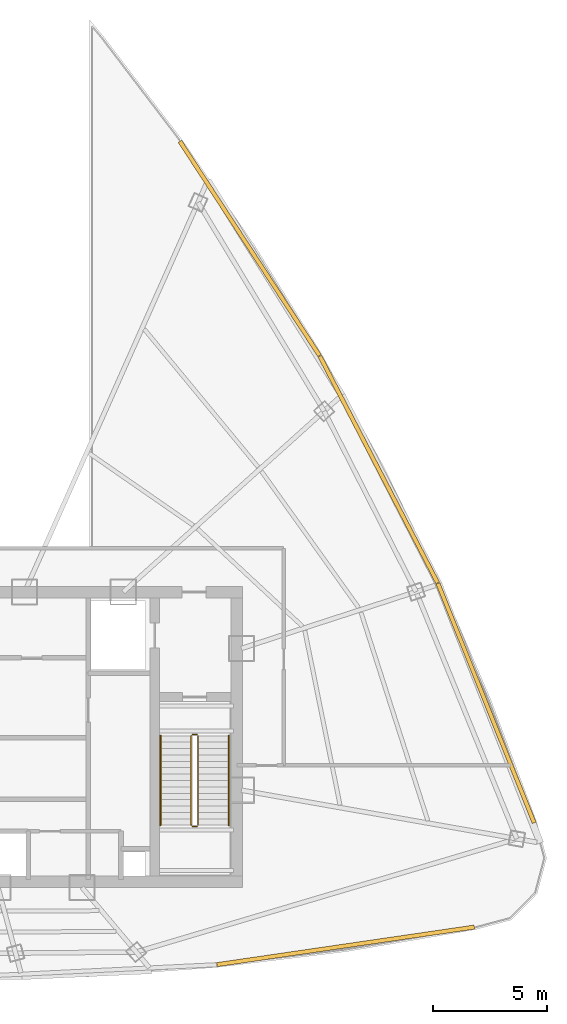
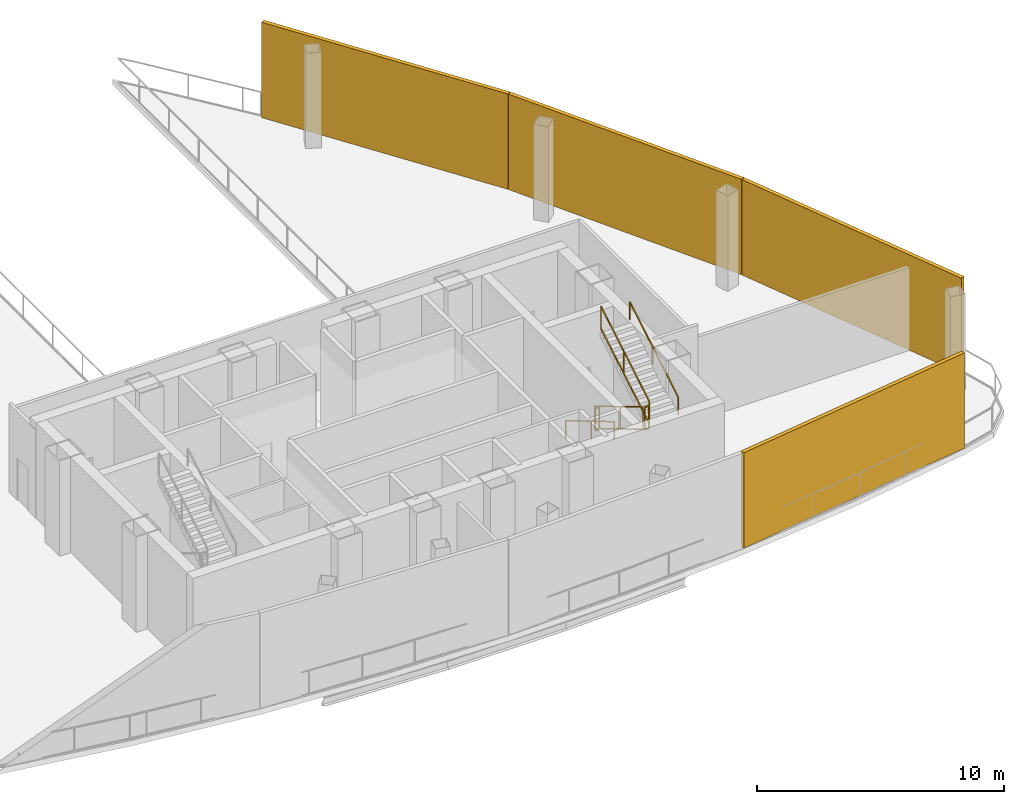
# One storey, part 6 of 6: 6 railings, 4 shading devices.
"""IFC4 building model written with IfcOpenShell, lengths in metres."""

import ifcopenshell
import ifcopenshell.guid

model = None  # the IFC model being written
_history = None  # IfcOwnerHistory: only IFC2X3 demands one
_inside = {}  # id of a spatial element -> (the spatial element, [elements in it])
_under = {}  # id of a project, library or spatial element -> (it, [spatial elements below it])
_declared = {}  # id of a project -> (the project, [libraries it declares])
_typed = {}  # id of a type object -> (the type object, [elements of that type])
_made_of = {}  # id of a material, layer set ... -> (it, [elements and type objects made of it])


def new_model(schema):
    """Start an empty IFC model of exactly this schema.

    Asked for "IFC4X3", IfcOpenShell would pick the latest addendum, in which some entities
    have other attributes; the version numbers below select the first issue.
    IFC2X3 requires an IfcOwnerHistory on every rooted entity: one is made here for all.
    """
    global model, _history
    if schema == "IFC4X3":
        model = ifcopenshell.file(schema_version=(4, 3, 0, 0))
    else:
        model = ifcopenshell.file(schema=schema)
    _inside.clear()
    _under.clear()
    _declared.clear()
    _typed.clear()
    _made_of.clear()
    _history = None
    if model.schema == "IFC2X3":
        org = make("IfcOrganization", Name="unknown")
        user = make(
            "IfcPersonAndOrganization",
            ThePerson=make("IfcPerson", FamilyName="unknown"),
            TheOrganization=org,
        )
        app = make(
            "IfcApplication",
            ApplicationDeveloper=org,
            Version="unknown",
            ApplicationFullName="unknown",
            ApplicationIdentifier="unknown",
        )
        _history = make(
            "IfcOwnerHistory",
            OwningUser=user,
            OwningApplication=app,
            ChangeAction="ADDED",
            CreationDate=0,
        )
    return model


def make(cls, **values):
    """One entity of the class cls with the attributes given. An attribute that is None is left unset."""
    return model.create_entity(
        cls, **{name: value for name, value in values.items() if value is not None}
    )


def rooted(cls, **values):
    """An entity with a GlobalId (a new one), such as an element, a storey or a relation."""
    return make(cls, GlobalId=ifcopenshell.guid.new(), OwnerHistory=_history, **values)


def si_unit(unit_type, name, prefix=None):
    """IfcSIUnit, for example si_unit("LENGTHUNIT", "METRE", prefix="MILLI")."""
    return make("IfcSIUnit", UnitType=unit_type, Prefix=prefix, Name=name)


def assignment(units):
    """IfcUnitAssignment: the units of a project."""
    return None if units is None else make("IfcUnitAssignment", Units=units)


def point(xyz):
    """IfcCartesianPoint."""
    return None if xyz is None else make("IfcCartesianPoint", Coordinates=xyz)


def direction(xyz):
    """IfcDirection."""
    return None if xyz is None else make("IfcDirection", DirectionRatios=xyz)


def frame(location, z_axis=None, x_axis=None):
    """IfcAxis2Placement3D, a coordinate frame: its origin and axes. An axis left out is left unset."""
    return make(
        "IfcAxis2Placement3D",
        Location=point(location),
        Axis=direction(z_axis),
        RefDirection=direction(x_axis),
    )


def frame_2d(location, x_axis=None):
    """IfcAxis2Placement2D, a coordinate frame in the plane: its origin and x axis."""
    return make(
        "IfcAxis2Placement2D", Location=point(location), RefDirection=direction(x_axis)
    )


def origin():
    """The frame at (0, 0, 0) with its axes left unset."""
    return frame((0.0, 0.0, 0.0))


def origin_2d():
    """The frame at (0, 0) in the plane with its x axis left unset."""
    return frame_2d((0.0, 0.0))


def place(relative_to, where):
    """IfcLocalPlacement: puts the frame where relative to a parent placement (None: the world)."""
    return make(
        "IfcLocalPlacement", PlacementRelTo=relative_to, RelativePlacement=where
    )


def context(
    kind, dimensions, precision=None, world=None, true_north=None, identifier=None
):
    """IfcGeometricRepresentationContext, for example the 3D "Model" context."""
    return make(
        "IfcGeometricRepresentationContext",
        ContextIdentifier=identifier,
        ContextType=kind,
        CoordinateSpaceDimension=dimensions,
        Precision=precision,
        WorldCoordinateSystem=world,
        TrueNorth=true_north,
    )


def subcontext(parent, identifier, kind, view, scale=None):
    """IfcGeometricRepresentationSubContext, for example "Body" below "Model"."""
    return make(
        "IfcGeometricRepresentationSubContext",
        ContextIdentifier=identifier,
        ContextType=kind,
        ParentContext=parent,
        TargetScale=scale,
        TargetView=view,
    )


def project(units=None, contexts=None):
    """IfcProject with its units and contexts."""
    return rooted(
        "IfcProject",
        Name="project",
        RepresentationContexts=contexts,
        UnitsInContext=assignment(units),
    )


def spatial(cls, under=None, at=None, **own):
    """A site, building, storey or space (cls), placed at a placement, below another one or the project."""
    s = rooted(cls, ObjectPlacement=at, **own)
    if under is not None:
        _under.setdefault(under.id(), (under, []))[1].append(s)
    return s


def profile(cls, at=None, kind="AREA", **sizes):
    """A parametric profile (cls). Its sizes go by their IFC names, for example OverallWidth=200.0."""
    return make(cls, ProfileType=kind, Position=at, **sizes)


def rectangle(**sizes):
    """IfcRectangleProfileDef."""
    return profile("IfcRectangleProfileDef", **sizes)


def extrude(swept, where, along, depth):
    """IfcExtrudedAreaSolid: the profile swept, set in the frame where, extruded along a direction by depth."""
    return make(
        "IfcExtrudedAreaSolid",
        SweptArea=swept,
        Position=where,
        ExtrudedDirection=direction(along),
        Depth=depth,
    )


def shape(context_of_items, identifier, shape_type, items):
    """IfcShapeRepresentation: the items that make up one representation, for example the "Body"."""
    return make(
        "IfcShapeRepresentation",
        ContextOfItems=context_of_items,
        RepresentationIdentifier=identifier,
        RepresentationType=shape_type,
        Items=items,
    )


def source(mapping_origin, context_of_items, identifier, shape_type, items):
    """IfcRepresentationMap: a shape defined once, which mapped items show again and again."""
    return make(
        "IfcRepresentationMap",
        MappingOrigin=mapping_origin,
        MappedRepresentation=shape(context_of_items, identifier, shape_type, items),
    )


def transform(
    local_origin,
    x_axis=None,
    y_axis=None,
    z_axis=None,
    scale=None,
    scale2=None,
    scale3=None,
    uniform=True,
):
    """IfcCartesianTransformationOperator3D, or its non-uniform kind. x_axis, y_axis, z_axis: its Axis1, 2, 3."""
    if uniform:
        return make(
            "IfcCartesianTransformationOperator3D",
            Axis1=direction(x_axis),
            Axis2=direction(y_axis),
            LocalOrigin=point(local_origin),
            Scale=scale,
            Axis3=direction(z_axis),
        )
    return make(
        "IfcCartesianTransformationOperator3DnonUniform",
        Axis1=direction(x_axis),
        Axis2=direction(y_axis),
        LocalOrigin=point(local_origin),
        Scale=scale,
        Axis3=direction(z_axis),
        Scale2=scale2,
        Scale3=scale3,
    )


def mapped(mapping_source, mapping_target):
    """IfcMappedItem: shows the shape of a source again, moved by a transform."""
    return make(
        "IfcMappedItem", MappingSource=mapping_source, MappingTarget=mapping_target
    )


def material(Name=None, Category=None):
    """IfcMaterial."""
    return make("IfcMaterial", Name=Name, Category=Category)


def layer(
    of_material, thickness, ventilated=None, Name=None, Category=None, Priority=None
):
    """IfcMaterialLayer: one layer of a wall or slab, of a material (None: an air gap)."""
    return make(
        "IfcMaterialLayer",
        Material=of_material,
        LayerThickness=thickness,
        IsVentilated=ventilated,
        Name=Name,
        Category=Category,
        Priority=Priority,
    )


def layer_set(layers, Name=None):
    """IfcMaterialLayerSet."""
    return make("IfcMaterialLayerSet", MaterialLayers=layers, LayerSetName=Name)


def made_of(thing, what):
    """Note that an element or type object is made of a material, layer set ...; save() writes the relation."""
    if what is not None:
        _made_of.setdefault(what.id(), (what, []))[1].append(thing)
    return thing


def type_object(cls, material=None, **own):
    """A type object (cls), such as IfcWallType, which elements share."""
    return made_of(rooted(cls, **own), material)


def element(
    cls,
    number,
    at=None,
    inside=None,
    cuts=None,
    type_object=None,
    material=None,
    context=None,
    identifier="Body",
    shape_type=None,
    held_by="IfcProductDefinitionShape",
    body=None,
    shapes=None,
    **own,
):
    """One element of the class cls, such as IfcWall. Its Tag is "e" and its number.

    at: its placement. inside: the storey or other place that contains it. cuts: it is an
    opening in that element (IfcRelVoidsElement). A single representation is given by context,
    identifier, shape_type and body (its items); several are given by shapes. held_by: the class
    of the entity that holds the representations. save() writes the other relations.
    """
    e = rooted(cls, Tag="e%d" % number, ObjectPlacement=at, **own)
    if body is not None:
        shapes = [shape(context, identifier, shape_type, body)]
    if shapes is not None:
        e.Representation = make(held_by, Representations=shapes)
    if inside is not None:
        _inside.setdefault(inside.id(), (inside, []))[1].append(e)
    if cuts is not None:
        rooted(
            "IfcRelVoidsElement", RelatingBuildingElement=cuts, RelatedOpeningElement=e
        )
    if type_object is not None:
        _typed.setdefault(type_object.id(), (type_object, []))[1].append(e)
    return made_of(e, material)


def aggregate(whole, parts):
    """IfcRelAggregates: a whole, such as a stair, and the parts it consists of."""
    return rooted("IfcRelAggregates", RelatingObject=whole, RelatedObjects=parts)


def save(model, path):
    """Write the relations noted so far, then the file.

    IfcRelAggregates (storeys below a building ...), IfcRelContainedInSpatialStructure (elements
    in a storey), IfcRelDefinesByType, IfcRelAssociatesMaterial and IfcRelDeclares: one each for
    every whole, place, type object, material and project.
    """
    for whole, parts in _under.values():
        aggregate(whole, parts)
    for where, things in _inside.values():
        rooted(
            "IfcRelContainedInSpatialStructure",
            RelatedElements=things,
            RelatingStructure=where,
        )
    for kind, things in _typed.values():
        rooted("IfcRelDefinesByType", RelatedObjects=things, RelatingType=kind)
    for what, things in _made_of.values():
        rooted("IfcRelAssociatesMaterial", RelatedObjects=things, RelatingMaterial=what)
    for by, libraries in _declared.values():
        rooted("IfcRelDeclares", RelatingContext=by, RelatedDefinitions=libraries)
    model.write(path)


model = new_model("IFC4")

# Units and contexts
model_context = context("Model", 3, precision=1e-05, world=origin(), true_north=direction((0.0, 1.0)))
body_context = subcontext(model_context, "Body", "Model", "MODEL_VIEW")
ifc_project = project(units=[si_unit("LENGTHUNIT", "METRE"), si_unit("AREAUNIT", "SQUARE_METRE"), si_unit("VOLUMEUNIT", "CUBIC_METRE"), si_unit("PLANEANGLEUNIT", "RADIAN"), si_unit("MASSUNIT", "GRAM", prefix="KILO"), si_unit("THERMODYNAMICTEMPERATUREUNIT", "KELVIN"), si_unit("POWERUNIT", "WATT")], contexts=[model_context])

# Site, building, storey
site_placement = place(None, origin())
site = spatial("IfcSite", under=ifc_project, at=site_placement, CompositionType="ELEMENT")
building_placement = place(site_placement, origin())
building = spatial("IfcBuilding", under=site, at=building_placement, Name="Yunzhuo Pagoda Commons", CompositionType="ELEMENT")
storey_placement = place(building_placement, frame((0.0, 0.0, 371.760009765625)))
storey = spatial("IfcBuildingStorey", under=building, at=storey_placement, Name="L93", CompositionType="ELEMENT", Elevation=371.760009765625)

# Railings
ifc_material = material(Name="Anodized aluminium 6063-T6", Category="aluminium")
railing_type_1 = type_object("IfcRailingType", Name="GR-ST2 Stair Well Guardrail 1160", PredefinedType="GUARDRAIL", material=ifc_material)
railing_1_placement = place(storey_placement, frame((58.199951171875, 33.89990234375, 0.166748046875)))
element("IfcRailing", 1, at=railing_1_placement, inside=storey, type_object=railing_type_1, Name="L93 ST2 stair guard 1", PredefinedType="GUARDRAIL", context=body_context, shape_type="SweptSolid", body=[
    extrude(rectangle(XDim=0.048095703125, YDim=0.048095703125, at=origin_2d()), frame((0.0, 0.0, 1.1259765625), z_axis=(0.0, -0.859296244711, 0.511478214419), x_axis=(1.0, 0.0, 0.0)), (0.0, 0.0, 1.0), 4.561767578125),
    extrude(rectangle(XDim=0.048095703125, YDim=0.048095703125, at=origin_2d()), frame((0.0, 0.0, 0.02392578125), z_axis=(0.0, -0.859296244711, 0.511478214419), x_axis=(1.0, 0.0, 0.0)), (0.0, 0.0, 1.0), 4.561767578125),
    extrude(rectangle(XDim=0.0419921875, YDim=0.0419921875, at=origin_2d()), origin(), (0.0, 0.0, 1.0), 1.101806640625),
    extrude(rectangle(XDim=0.0419921875, YDim=0.0419921875, at=origin_2d()), frame((0.0, -2.062255859375, 1.2275390625)), (0.0, 0.0, 1.0), 1.101806640625),
    extrude(rectangle(XDim=0.0419921875, YDim=0.0419921875, at=origin_2d()), frame((0.0, -3.919921875, 2.333251953125)), (0.0, 0.0, 1.0), 1.101806640625),
])
railing_2_placement = place(storey_placement, frame((58.25, 29.929931640625, 2.5)))
element("IfcRailing", 2, at=railing_2_placement, inside=storey, type_object=railing_type_1, Name="L93 ST2 stair guard 2", PredefinedType="GUARDRAIL", context=body_context, shape_type="SweptSolid", body=[
    extrude(rectangle(XDim=0.048095703125, YDim=0.048095703125, at=origin_2d()), frame((0.0, 0.0, 1.1259765625), z_axis=(1.0, 0.0, 0.0), x_axis=(0.0, 1.0, 0.0)), (0.0, 0.0, 1.0), 0.199951171875),
    extrude(rectangle(XDim=0.048095703125, YDim=0.048095703125, at=origin_2d()), frame((0.0, 0.0, 0.02392578125), z_axis=(1.0, 0.0, 0.0), x_axis=(0.0, 1.0, 0.0)), (0.0, 0.0, 1.0), 0.199951171875),
    extrude(rectangle(XDim=0.0419921875, YDim=0.0419921875, at=origin_2d()), origin(), (0.0, 0.0, 1.0), 1.101806640625),
    extrude(rectangle(XDim=0.0419921875, YDim=0.0419921875, at=origin_2d()), frame((0.199951171875, 0.0, 0.0)), (0.0, 0.0, 1.0), 1.101806640625),
])
railing_3_placement = place(storey_placement, frame((58.5, 29.97998046875, 2.666748046875)))
element("IfcRailing", 3, at=railing_3_placement, inside=storey, type_object=railing_type_1, Name="L93 ST2 stair guard 3", PredefinedType="GUARDRAIL", context=body_context, shape_type="SweptSolid", body=[
    extrude(rectangle(XDim=0.048095703125, YDim=0.048095703125, at=origin_2d()), frame((0.0, 0.0, 1.1259765625), z_axis=(0.0, 0.859296244711, 0.511478214419), x_axis=(-1.0, 0.0, 0.0)), (0.0, 0.0, 1.0), 4.561767578125),
    extrude(rectangle(XDim=0.048095703125, YDim=0.048095703125, at=origin_2d()), frame((0.0, 0.0, 0.02392578125), z_axis=(0.0, 0.859296244711, 0.511478214419), x_axis=(-1.0, 0.0, 0.0)), (0.0, 0.0, 1.0), 4.561767578125),
    extrude(rectangle(XDim=0.0419921875, YDim=0.0419921875, at=origin_2d()), origin(), (0.0, 0.0, 1.0), 1.101806640625),
    extrude(rectangle(XDim=0.0419921875, YDim=0.0419921875, at=origin_2d()), frame((0.0, 2.062255859375, 1.2275390625)), (0.0, 0.0, 1.0), 1.101806640625),
    extrude(rectangle(XDim=0.0419921875, YDim=0.0419921875, at=origin_2d()), frame((0.0, 3.919921875, 2.333251953125)), (0.0, 0.0, 1.0), 1.101806640625),
])
railing_4_placement = place(storey_placement, frame((58.25, 33.949951171875, 0.0)))
element("IfcRailing", 4, at=railing_4_placement, inside=storey, type_object=railing_type_1, Name="L93 ST2 stair guard 4", PredefinedType="GUARDRAIL", context=body_context, shape_type="SweptSolid", body=[
    extrude(rectangle(XDim=0.048095703125, YDim=0.048095703125, at=origin_2d()), frame((0.0, 0.0, 1.1259765625), z_axis=(1.0, 0.0, 0.0), x_axis=(0.0, 1.0, 0.0)), (0.0, 0.0, 1.0), 0.199951171875),
    extrude(rectangle(XDim=0.048095703125, YDim=0.048095703125, at=origin_2d()), frame((0.0, 0.0, 0.02392578125), z_axis=(1.0, 0.0, 0.0), x_axis=(0.0, 1.0, 0.0)), (0.0, 0.0, 1.0), 0.199951171875),
    extrude(rectangle(XDim=0.0419921875, YDim=0.0419921875, at=origin_2d()), origin(), (0.0, 0.0, 1.0), 1.101806640625),
    extrude(rectangle(XDim=0.0419921875, YDim=0.0419921875, at=origin_2d()), frame((0.199951171875, 0.0, 0.0)), (0.0, 0.0, 1.0), 1.101806640625),
])
railing_type_2 = type_object("IfcRailingType", Name="HR-ST2 Stair Handrail 900", PredefinedType="HANDRAIL", material=ifc_material)
railing_5_placement = place(storey_placement, frame((56.85009765625, 33.89990234375, 0.166748046875)))
element("IfcRailing", 5, at=railing_5_placement, inside=storey, type_object=railing_type_2, Name="L93 ST2 stair handrail 1", PredefinedType="HANDRAIL", context=body_context, shape_type="SweptSolid", body=[
    extrude(rectangle(XDim=0.048095703125, YDim=0.048095703125, at=origin_2d()), frame((0.0, 0.0, 0.8759765625), z_axis=(0.0, -0.859296244711, 0.511478214419), x_axis=(1.0, 0.0, 0.0)), (0.0, 0.0, 1.0), 4.561767578125),
    extrude(rectangle(XDim=0.0419921875, YDim=0.0419921875, at=origin_2d()), origin(), (0.0, 0.0, 1.0), 0.851806640625),
    extrude(rectangle(XDim=0.0419921875, YDim=0.0419921875, at=origin_2d()), frame((0.0, -2.062255859375, 1.2275390625)), (0.0, 0.0, 1.0), 0.851806640625),
    extrude(rectangle(XDim=0.0419921875, YDim=0.0419921875, at=origin_2d()), frame((0.0, -3.919921875, 2.333251953125)), (0.0, 0.0, 1.0), 0.851806640625),
])
railing_6_placement = place(storey_placement, frame((59.85009765625, 29.97998046875, 2.666748046875)))
element("IfcRailing", 6, at=railing_6_placement, inside=storey, type_object=railing_type_2, Name="L93 ST2 stair handrail 2", PredefinedType="HANDRAIL", context=body_context, shape_type="SweptSolid", body=[
    extrude(rectangle(XDim=0.048095703125, YDim=0.048095703125, at=origin_2d()), frame((0.0, 0.0, 0.8759765625), z_axis=(0.0, 0.859296244711, 0.511478214419), x_axis=(-1.0, 0.0, 0.0)), (0.0, 0.0, 1.0), 4.561767578125),
    extrude(rectangle(XDim=0.0419921875, YDim=0.0419921875, at=origin_2d()), origin(), (0.0, 0.0, 1.0), 0.851806640625),
    extrude(rectangle(XDim=0.0419921875, YDim=0.0419921875, at=origin_2d()), frame((0.0, 2.062255859375, 1.2275390625)), (0.0, 0.0, 1.0), 0.851806640625),
    extrude(rectangle(XDim=0.0419921875, YDim=0.0419921875, at=origin_2d()), frame((0.0, 3.919921875, 2.333251953125)), (0.0, 0.0, 1.0), 0.851806640625),
])

# Shading devices
ifc_layer = layer(ifc_material, 0.179931640625)
ifc_layer_set = layer_set([ifc_layer], Name="Anodized aluminium 6063-T6")
shading_device_type = type_object("IfcShadingDeviceType", Name="SH-SCR2 Crown Drum Acoustic Louvre Screen", PredefinedType="JALOUSIE", material=ifc_layer_set)
shared_shape_1 = source(origin(), body_context, "Body", "SweptSolid", [
    extrude(rectangle(XDim=11.403076171875, YDim=0.179931640625, at=origin_2d()), origin(), (0.0, 0.0, 1.0), 4.719970703125),
])
shading_device_1_placement = place(storey_placement, frame((64.96728515625, 24.690185546875, 0.0), z_axis=(0.0, 0.0, 1.0), x_axis=(0.989510666697, 0.144459823108, 0.0)))
element("IfcShadingDevice", 7, at=shading_device_1_placement, inside=storey, type_object=shading_device_type, Name="L93 wind portal wing louvre screen F1.4", PredefinedType="JALOUSIE", context=body_context, shape_type="MappedRepresentation", body=[
    mapped(shared_shape_1, transform((0.0, 0.0, 0.0), scale=1.0)),
])
shared_shape_2 = source(origin(), body_context, "Body", "SweptSolid", [
    extrude(rectangle(XDim=11.311279296875, YDim=0.179931640625, at=origin_2d()), origin(), (0.0, 0.0, 1.0), 4.719970703125),
])
shading_device_2_placement = place(storey_placement, frame((71.122802734375, 35.330078125, 0.0), z_axis=(0.0, 0.0, 1.0), x_axis=(-0.372987782576, 0.927836253899, 0.0)))
element("IfcShadingDevice", 8, at=shading_device_2_placement, inside=storey, type_object=shading_device_type, Name="L93 wind portal wing louvre screen F2.1", PredefinedType="JALOUSIE", context=body_context, shape_type="MappedRepresentation", body=[
    mapped(shared_shape_2, transform((0.0, 0.0, 0.0), scale=1.0)),
])
shared_shape_3 = source(origin(), body_context, "Body", "SweptSolid", [
    extrude(rectangle(XDim=11.203857421875, YDim=0.179931640625, at=origin_2d()), origin(), (0.0, 0.0, 1.0), 4.719970703125),
])
for number, where, z_axis, x_axis, name in (
    (9, (66.417724609375, 45.57421875, 0.0), (0.0, 0.0, 1.0), (-0.461206683033, 0.88729273384, 0.0), "L93 wind portal wing louvre screen F2.2"),
    (10, (60.76220703125, 55.2626953125, 0.0), (0.0, 0.0, 1.0), (-0.545853380833, 0.837880711458, 0.0), "L93 wind portal wing louvre screen F2.3"),
):
    element("IfcShadingDevice", number, at=place(storey_placement, frame(where, z_axis=z_axis, x_axis=x_axis)), inside=storey, type_object=shading_device_type, Name=name, PredefinedType="JALOUSIE", context=body_context, shape_type="MappedRepresentation", body=[
        mapped(shared_shape_3, transform((0.0, 0.0, 0.0), scale=1.0)),
    ])

save(model, "model.ifc")
